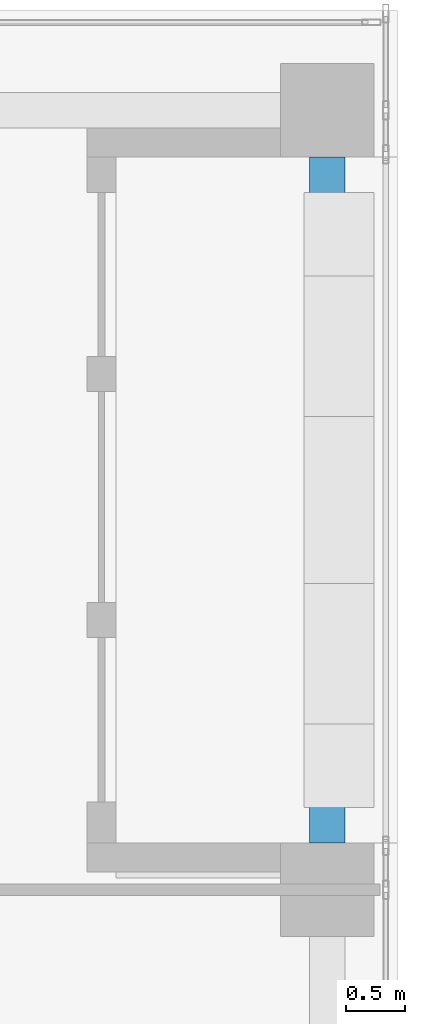
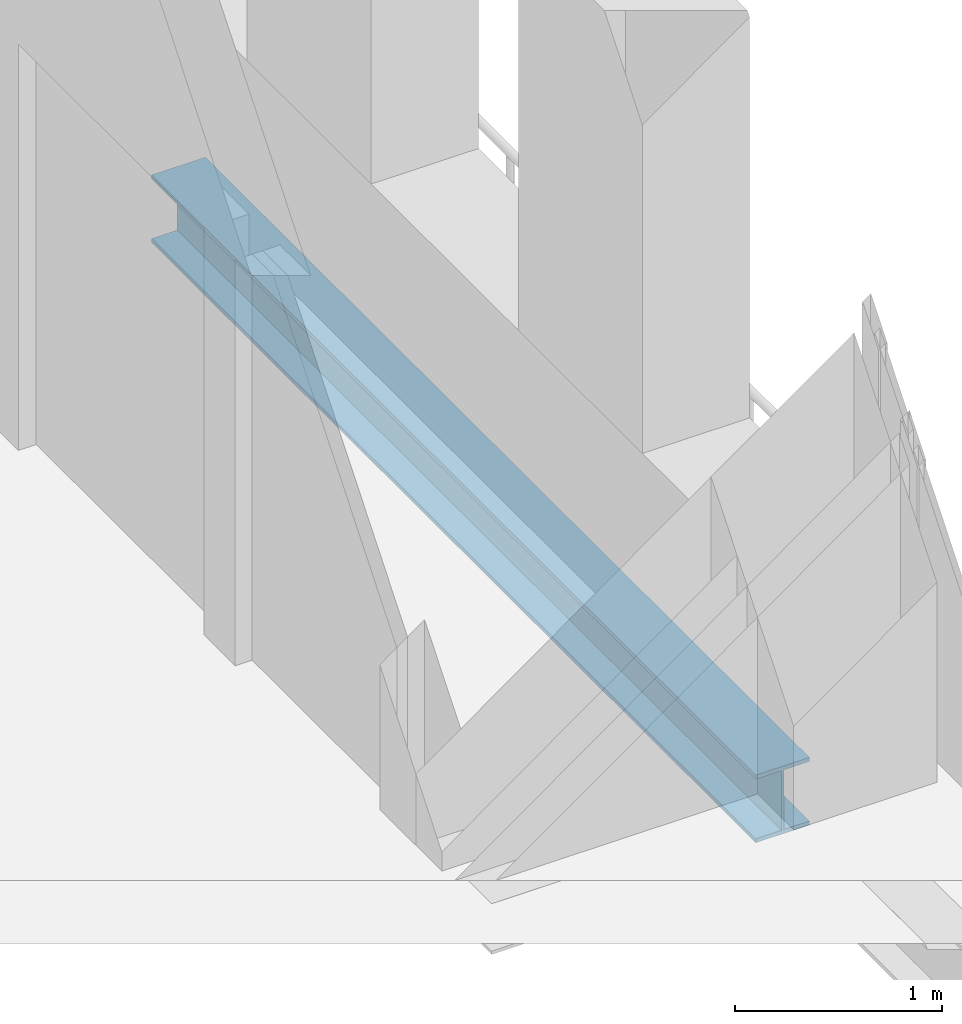
# One storey, part 13 of 29: 1 beam.
"""IFC4 building model written with IfcOpenShell, lengths in metres."""

from ifc_helpers import new_model, si_unit, direction, frame, origin, origin_2d, place, context, subcontext, project, spatial, i_section, extrude, source, transform, mapped, material, material_profile, profile_set, type_object, element, save


model = new_model("IFC4")

# Units and contexts
model_context = context("Model", 3, precision=1e-05, world=origin(), true_north=direction((0.0, 1.0)))
body_context = subcontext(model_context, "Body", "Model", "MODEL_VIEW")
ifc_project = project(units=[si_unit("LENGTHUNIT", "METRE"), si_unit("AREAUNIT", "SQUARE_METRE"), si_unit("VOLUMEUNIT", "CUBIC_METRE"), si_unit("PLANEANGLEUNIT", "RADIAN"), si_unit("MASSUNIT", "GRAM", prefix="KILO")], contexts=[model_context])

# Site, building, storey
site_placement = place(None, origin())
site = spatial("IfcSite", under=ifc_project, at=site_placement, CompositionType="ELEMENT")
building_placement = place(site_placement, origin())
building = spatial("IfcBuilding", under=site, at=building_placement, Name="Khomas Fold Tower", CompositionType="ELEMENT")
storey_placement = place(building_placement, frame((0.0, 0.0, 310.199951171875)))
storey = spatial("IfcBuildingStorey", under=building, at=storey_placement, Name="L70", CompositionType="ELEMENT", Elevation=310.199951171875)

# Beam
ifc_material = material(Name="Steel S355", Category="steel")
ifc_material_profile = material_profile(ifc_material, i_section(OverallWidth=0.300048828125, OverallDepth=0.39990234375, WebThickness=0.013427734375, FlangeThickness=0.02392578125, at=origin_2d()), Name="HE 400 B")
ifc_profile_set = profile_set([ifc_material_profile], Name="Steel S355")
beam_type = type_object("IfcBeamType", Name="HE 400 B spandrel SB5", PredefinedType="SPANDREL", material=ifc_profile_set)
shared_shape = source(origin(), body_context, "Body", "SweptSolid", [
    extrude(i_section(OverallWidth=0.300048828125, OverallDepth=0.39990234375, WebThickness=0.013427734375, FlangeThickness=0.02392578125, at=origin_2d()), origin(), (0.0, 0.0, 1.0), 5.85009765625),
])
beam_placement = place(storey_placement, frame((47.39990234375, 34.89990234375, -0.449951171875), z_axis=(0.0, 1.0, 0.0), x_axis=(-1.0, 0.0, 0.0)))
element("IfcBeam", 1, at=beam_placement, inside=storey, type_object=beam_type, Name="SB5", PredefinedType="SPANDREL", context=body_context, shape_type="MappedRepresentation", body=[
    mapped(shared_shape, transform((0.0, 0.0, 0.0))),
])

save(model, "model.ifc")
